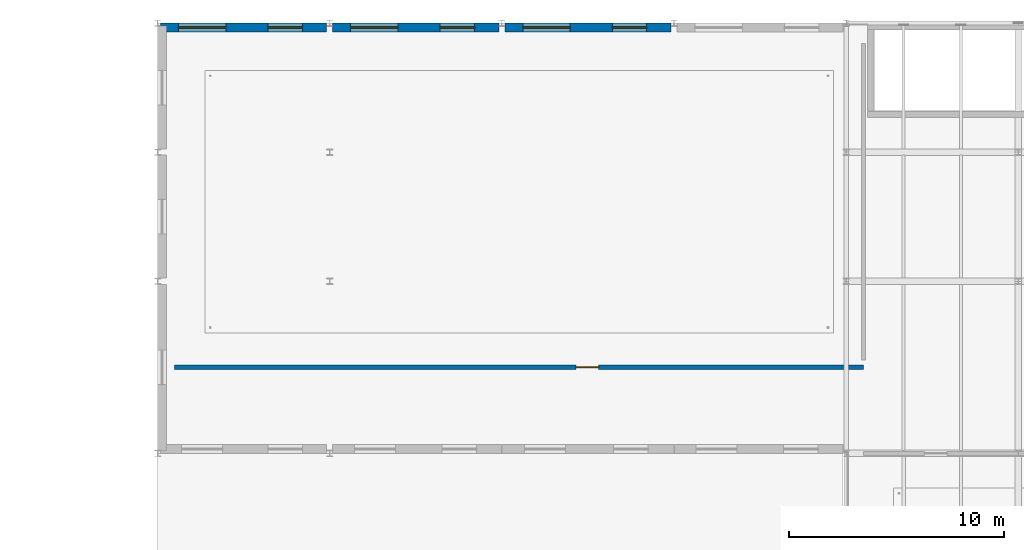
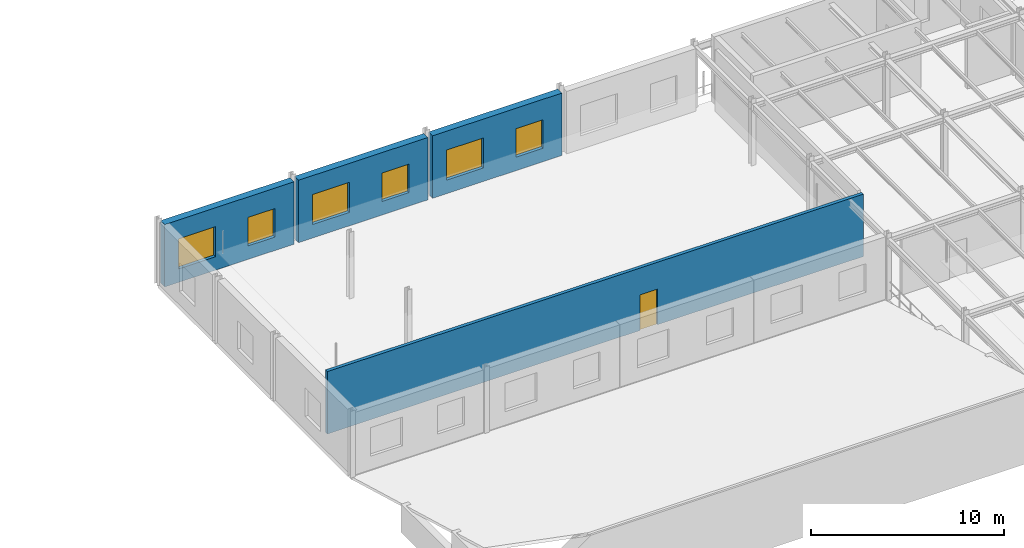
# One storey, part 85 of 124: 6 windows, 4 walls, 1 door, 7 openings.
"""IFC4 building model written with IfcOpenShell, lengths in metres."""

import ifcopenshell
import ifcopenshell.guid

model = None  # the IFC model being written
_history = None  # IfcOwnerHistory: only IFC2X3 demands one
_inside = {}  # id of a spatial element -> (the spatial element, [elements in it])
_under = {}  # id of a project, library or spatial element -> (it, [spatial elements below it])
_declared = {}  # id of a project -> (the project, [libraries it declares])
_typed = {}  # id of a type object -> (the type object, [elements of that type])
_made_of = {}  # id of a material, layer set ... -> (it, [elements and type objects made of it])


def new_model(schema):
    """Start an empty IFC model of exactly this schema.

    Asked for "IFC4X3", IfcOpenShell would pick the latest addendum, in which some entities
    have other attributes; the version numbers below select the first issue.
    IFC2X3 requires an IfcOwnerHistory on every rooted entity: one is made here for all.
    """
    global model, _history
    if schema == "IFC4X3":
        model = ifcopenshell.file(schema_version=(4, 3, 0, 0))
    else:
        model = ifcopenshell.file(schema=schema)
    _inside.clear()
    _under.clear()
    _declared.clear()
    _typed.clear()
    _made_of.clear()
    _history = None
    if model.schema == "IFC2X3":
        org = make("IfcOrganization", Name="unknown")
        user = make(
            "IfcPersonAndOrganization",
            ThePerson=make("IfcPerson", FamilyName="unknown"),
            TheOrganization=org,
        )
        app = make(
            "IfcApplication",
            ApplicationDeveloper=org,
            Version="unknown",
            ApplicationFullName="unknown",
            ApplicationIdentifier="unknown",
        )
        _history = make(
            "IfcOwnerHistory",
            OwningUser=user,
            OwningApplication=app,
            ChangeAction="ADDED",
            CreationDate=0,
        )
    return model


def make(cls, **values):
    """One entity of the class cls with the attributes given. An attribute that is None is left unset."""
    return model.create_entity(
        cls, **{name: value for name, value in values.items() if value is not None}
    )


def rooted(cls, **values):
    """An entity with a GlobalId (a new one), such as an element, a storey or a relation."""
    return make(cls, GlobalId=ifcopenshell.guid.new(), OwnerHistory=_history, **values)


def si_unit(unit_type, name, prefix=None):
    """IfcSIUnit, for example si_unit("LENGTHUNIT", "METRE", prefix="MILLI")."""
    return make("IfcSIUnit", UnitType=unit_type, Prefix=prefix, Name=name)


def assignment(units):
    """IfcUnitAssignment: the units of a project."""
    return None if units is None else make("IfcUnitAssignment", Units=units)


def point(xyz):
    """IfcCartesianPoint."""
    return None if xyz is None else make("IfcCartesianPoint", Coordinates=xyz)


def direction(xyz):
    """IfcDirection."""
    return None if xyz is None else make("IfcDirection", DirectionRatios=xyz)


def frame(location, z_axis=None, x_axis=None):
    """IfcAxis2Placement3D, a coordinate frame: its origin and axes. An axis left out is left unset."""
    return make(
        "IfcAxis2Placement3D",
        Location=point(location),
        Axis=direction(z_axis),
        RefDirection=direction(x_axis),
    )


def frame_2d(location, x_axis=None):
    """IfcAxis2Placement2D, a coordinate frame in the plane: its origin and x axis."""
    return make(
        "IfcAxis2Placement2D", Location=point(location), RefDirection=direction(x_axis)
    )


def origin():
    """The frame at (0, 0, 0) with its axes left unset."""
    return frame((0.0, 0.0, 0.0))


def place(relative_to, where):
    """IfcLocalPlacement: puts the frame where relative to a parent placement (None: the world)."""
    return make(
        "IfcLocalPlacement", PlacementRelTo=relative_to, RelativePlacement=where
    )


def context(
    kind, dimensions, precision=None, world=None, true_north=None, identifier=None
):
    """IfcGeometricRepresentationContext, for example the 3D "Model" context."""
    return make(
        "IfcGeometricRepresentationContext",
        ContextIdentifier=identifier,
        ContextType=kind,
        CoordinateSpaceDimension=dimensions,
        Precision=precision,
        WorldCoordinateSystem=world,
        TrueNorth=true_north,
    )


def subcontext(parent, identifier, kind, view, scale=None):
    """IfcGeometricRepresentationSubContext, for example "Body" below "Model"."""
    return make(
        "IfcGeometricRepresentationSubContext",
        ContextIdentifier=identifier,
        ContextType=kind,
        ParentContext=parent,
        TargetScale=scale,
        TargetView=view,
    )


def project(units=None, contexts=None):
    """IfcProject with its units and contexts."""
    return rooted(
        "IfcProject",
        Name="project",
        RepresentationContexts=contexts,
        UnitsInContext=assignment(units),
    )


def spatial(cls, under=None, at=None, **own):
    """A site, building, storey or space (cls), placed at a placement, below another one or the project."""
    s = rooted(cls, ObjectPlacement=at, **own)
    if under is not None:
        _under.setdefault(under.id(), (under, []))[1].append(s)
    return s


def profile(cls, at=None, kind="AREA", **sizes):
    """A parametric profile (cls). Its sizes go by their IFC names, for example OverallWidth=200.0."""
    return make(cls, ProfileType=kind, Position=at, **sizes)


def rectangle(**sizes):
    """IfcRectangleProfileDef."""
    return profile("IfcRectangleProfileDef", **sizes)


def extrude(swept, where, along, depth):
    """IfcExtrudedAreaSolid: the profile swept, set in the frame where, extruded along a direction by depth."""
    return make(
        "IfcExtrudedAreaSolid",
        SweptArea=swept,
        Position=where,
        ExtrudedDirection=direction(along),
        Depth=depth,
    )


def shape(context_of_items, identifier, shape_type, items):
    """IfcShapeRepresentation: the items that make up one representation, for example the "Body"."""
    return make(
        "IfcShapeRepresentation",
        ContextOfItems=context_of_items,
        RepresentationIdentifier=identifier,
        RepresentationType=shape_type,
        Items=items,
    )


def material(Name=None, Category=None):
    """IfcMaterial."""
    return make("IfcMaterial", Name=Name, Category=Category)


def layer(
    of_material, thickness, ventilated=None, Name=None, Category=None, Priority=None
):
    """IfcMaterialLayer: one layer of a wall or slab, of a material (None: an air gap)."""
    return make(
        "IfcMaterialLayer",
        Material=of_material,
        LayerThickness=thickness,
        IsVentilated=ventilated,
        Name=Name,
        Category=Category,
        Priority=Priority,
    )


def layer_set(layers, Name=None):
    """IfcMaterialLayerSet."""
    return make("IfcMaterialLayerSet", MaterialLayers=layers, LayerSetName=Name)


def made_of(thing, what):
    """Note that an element or type object is made of a material, layer set ...; save() writes the relation."""
    if what is not None:
        _made_of.setdefault(what.id(), (what, []))[1].append(thing)
    return thing


def type_object(cls, material=None, **own):
    """A type object (cls), such as IfcWallType, which elements share."""
    return made_of(rooted(cls, **own), material)


def element(
    cls,
    number,
    at=None,
    inside=None,
    cuts=None,
    type_object=None,
    material=None,
    context=None,
    identifier="Body",
    shape_type=None,
    held_by="IfcProductDefinitionShape",
    body=None,
    shapes=None,
    **own,
):
    """One element of the class cls, such as IfcWall. Its Tag is "e" and its number.

    at: its placement. inside: the storey or other place that contains it. cuts: it is an
    opening in that element (IfcRelVoidsElement). A single representation is given by context,
    identifier, shape_type and body (its items); several are given by shapes. held_by: the class
    of the entity that holds the representations. save() writes the other relations.
    """
    e = rooted(cls, Tag="e%d" % number, ObjectPlacement=at, **own)
    if body is not None:
        shapes = [shape(context, identifier, shape_type, body)]
    if shapes is not None:
        e.Representation = make(held_by, Representations=shapes)
    if inside is not None:
        _inside.setdefault(inside.id(), (inside, []))[1].append(e)
    if cuts is not None:
        rooted(
            "IfcRelVoidsElement", RelatingBuildingElement=cuts, RelatedOpeningElement=e
        )
    if type_object is not None:
        _typed.setdefault(type_object.id(), (type_object, []))[1].append(e)
    return made_of(e, material)


def fill(opening, filler):
    """IfcRelFillsElement: the door or window that sits in an opening."""
    return rooted(
        "IfcRelFillsElement",
        RelatingOpeningElement=opening,
        RelatedBuildingElement=filler,
    )


def aggregate(whole, parts):
    """IfcRelAggregates: a whole, such as a stair, and the parts it consists of."""
    return rooted("IfcRelAggregates", RelatingObject=whole, RelatedObjects=parts)


def save(model, path):
    """Write the relations noted so far, then the file.

    IfcRelAggregates (storeys below a building ...), IfcRelContainedInSpatialStructure (elements
    in a storey), IfcRelDefinesByType, IfcRelAssociatesMaterial and IfcRelDeclares: one each for
    every whole, place, type object, material and project.
    """
    for whole, parts in _under.values():
        aggregate(whole, parts)
    for where, things in _inside.values():
        rooted(
            "IfcRelContainedInSpatialStructure",
            RelatedElements=things,
            RelatingStructure=where,
        )
    for kind, things in _typed.values():
        rooted("IfcRelDefinesByType", RelatedObjects=things, RelatingType=kind)
    for what, things in _made_of.values():
        rooted("IfcRelAssociatesMaterial", RelatedObjects=things, RelatingMaterial=what)
    for by, libraries in _declared.values():
        rooted("IfcRelDeclares", RelatingContext=by, RelatedDefinitions=libraries)
    model.write(path)


model = new_model("IFC4")

# Units and contexts
model_context = context("Model", 3, precision=1e-05, world=origin(), true_north=direction((0.0, 1.0)))
body_context = subcontext(model_context, "Body", "Model", "MODEL_VIEW")
ifc_project = project(units=[si_unit("LENGTHUNIT", "METRE"), si_unit("AREAUNIT", "SQUARE_METRE"), si_unit("VOLUMEUNIT", "CUBIC_METRE"), si_unit("PLANEANGLEUNIT", "RADIAN"), si_unit("MASSUNIT", "GRAM", prefix="KILO")], contexts=[model_context])

# Site, building, storey
site_placement = place(None, origin())
site = spatial("IfcSite", under=ifc_project, at=site_placement, CompositionType="ELEMENT")
building_placement = place(site_placement, origin())
building = spatial("IfcBuilding", under=site, at=building_placement, Name="Sundkrona Museum", CompositionType="ELEMENT")
storey_placement = place(building_placement, frame((0.0, 0.0, 17.60009765625)))
storey = spatial("IfcBuildingStorey", under=building, at=storey_placement, Name="L03", CompositionType="ELEMENT", Elevation=17.60009765625)

# Wall, openings, windows
ifc_material_1 = material(Name="Scanian Polychrome Clay Brickwork 420 mm", Category="masonry")
ifc_layer_1 = layer(ifc_material_1, 0.419921875)
ifc_layer_set_1 = layer_set([ifc_layer_1], Name="Scanian Polychrome Clay Brickwork 420 mm")
wall_type_1 = type_object("IfcWallType", Name="W-EX-420", PredefinedType="SOLIDWALL", material=ifc_layer_set_1)
wall_1_placement = place(storey_placement, frame((104.14208984375, 113.7900390625, 0.0), z_axis=(0.0, 0.0, 1.0), x_axis=(1.0, 0.0, 0.0)))
wall_1 = element("IfcWall", 1, at=wall_1_placement, inside=storey, type_object=wall_type_1, Name="L03 Facade Wall 0369", PredefinedType="SOLIDWALL", context=body_context, shape_type="SweptSolid", body=[
    extrude(rectangle(XDim=7.7158203125, YDim=0.419921875, at=frame_2d((3.85791015625, 0.0))), origin(), (0.0, 0.0, 1.0), 3.93994140625),
])
opening_1_placement = place(wall_1_placement, frame((0.8291015625, 0.0, 0.85009765625)))
opening_1 = element("IfcOpeningElement", 2, at=opening_1_placement, cuts=wall_1, Name="Opening WN-LB-220x190", PredefinedType="OPENING", context=body_context, shape_type="SweptSolid", body=[
    extrude(rectangle(XDim=2.199951171875, YDim=1.89990234375, at=frame_2d((1.10009765625, 0.949951171875))), frame((0.0, 0.219970703125, 0.0), z_axis=(0.0, -1.0, 0.0), x_axis=(1.0, 0.0, 0.0)), (0.0, 0.0, 1.0), 0.43994140625),
])
opening_2_placement = place(wall_1_placement, frame((4.987060546875, 0.0, 0.85009765625)))
opening_2 = element("IfcOpeningElement", 3, at=opening_2_placement, cuts=wall_1, Name="Opening WN-LB-160x180", PredefinedType="OPENING", context=body_context, shape_type="SweptSolid", body=[
    extrude(rectangle(XDim=1.60009765625, YDim=1.800048828125, at=frame_2d((0.800048828125, 0.89990234375))), frame((0.0, 0.219970703125, 0.0), z_axis=(0.0, -1.0, 0.0), x_axis=(1.0, 0.0, 0.0)), (0.0, 0.0, 1.0), 0.43994140625),
])
ifc_material_2 = material(Name="Triple Low-E Argon Glazing in Bronze-Anodised Aluminium", Category="aluminium")
window_type_1 = type_object("IfcWindowType", Name="WN-LB-160x180", PartitioningType="DOUBLE_PANEL_VERTICAL", PredefinedType="WINDOW", material=ifc_material_2)
window_1_placement = place(opening_2_placement, origin())
window_1 = element("IfcWindow", 4, at=window_1_placement, inside=storey, type_object=window_type_1, Name="L03 Conservation laboratory deep-reveal window 1600x1800 WIN-L03-0480", OverallHeight=1.800048828125, OverallWidth=1.60009765625, PartitioningType="DOUBLE_PANEL_VERTICAL", PredefinedType="WINDOW", context=body_context, shape_type="SweptSolid", body=[
    extrude(rectangle(XDim=1.60009765625, YDim=1.800048828125, at=frame_2d((0.800048828125, 0.89990234375))), frame((0.0, 0.030029296875, 0.0), z_axis=(0.0, -1.0, 0.0), x_axis=(1.0, 0.0, 0.0)), (0.0, 0.0, 1.0), 0.06005859375),
])
fill(opening_2, window_1)
window_type_2 = type_object("IfcWindowType", Name="WN-LB-220x190", PartitioningType="TRIPLE_PANEL_VERTICAL", PredefinedType="WINDOW", material=ifc_material_2)
window_2_placement = place(opening_1_placement, origin())
window_2 = element("IfcWindow", 5, at=window_2_placement, inside=storey, type_object=window_type_2, Name="L03 Restoration studio north-light window 2200x1900 WIN-L03-0479", OverallHeight=1.89990234375, OverallWidth=2.199951171875, PartitioningType="TRIPLE_PANEL_VERTICAL", PredefinedType="WINDOW", context=body_context, shape_type="SweptSolid", body=[
    extrude(rectangle(XDim=2.199951171875, YDim=1.89990234375, at=frame_2d((1.10009765625, 0.949951171875))), frame((0.0, 0.030029296875, 0.0), z_axis=(0.0, -1.0, 0.0), x_axis=(1.0, 0.0, 0.0)), (0.0, 0.0, 1.0), 0.06005859375),
])
fill(opening_1, window_2)

wall_2_placement = place(storey_placement, frame((112.14208984375, 113.7900390625, 0.0), z_axis=(0.0, 0.0, 1.0), x_axis=(1.0, 0.0, 0.0)))
wall_2 = element("IfcWall", 6, at=wall_2_placement, inside=storey, type_object=wall_type_1, Name="L03 Facade Wall 0370", PredefinedType="SOLIDWALL", context=body_context, shape_type="SweptSolid", body=[
    extrude(rectangle(XDim=7.7158203125, YDim=0.419921875, at=frame_2d((3.85791015625, 0.0))), origin(), (0.0, 0.0, 1.0), 3.93994140625),
])
opening_3_placement = place(wall_2_placement, frame((0.8291015625, 0.0, 0.85009765625)))
opening_3 = element("IfcOpeningElement", 7, at=opening_3_placement, cuts=wall_2, Name="Opening WN-LB-220x190", PredefinedType="OPENING", context=body_context, shape_type="SweptSolid", body=[
    extrude(rectangle(XDim=2.199951171875, YDim=1.89990234375, at=frame_2d((1.10009765625, 0.949951171875))), frame((0.0, 0.219970703125, 0.0), z_axis=(0.0, -1.0, 0.0), x_axis=(1.0, 0.0, 0.0)), (0.0, 0.0, 1.0), 0.43994140625),
])
opening_4_placement = place(wall_2_placement, frame((4.987060546875, 0.0, 0.85009765625)))
opening_4 = element("IfcOpeningElement", 8, at=opening_4_placement, cuts=wall_2, Name="Opening WN-LB-160x180", PredefinedType="OPENING", context=body_context, shape_type="SweptSolid", body=[
    extrude(rectangle(XDim=1.60009765625, YDim=1.800048828125, at=frame_2d((0.800048828125, 0.89990234375))), frame((0.0, 0.219970703125, 0.0), z_axis=(0.0, -1.0, 0.0), x_axis=(1.0, 0.0, 0.0)), (0.0, 0.0, 1.0), 0.43994140625),
])
window_3_placement = place(opening_4_placement, origin())
window_3 = element("IfcWindow", 9, at=window_3_placement, inside=storey, type_object=window_type_1, Name="L03 Conservation laboratory deep-reveal window 1600x1800 WIN-L03-0482", OverallHeight=1.800048828125, OverallWidth=1.60009765625, PartitioningType="DOUBLE_PANEL_VERTICAL", PredefinedType="WINDOW", context=body_context, shape_type="SweptSolid", body=[
    extrude(rectangle(XDim=1.60009765625, YDim=1.800048828125, at=frame_2d((0.800048828125, 0.89990234375))), frame((0.0, 0.030029296875, 0.0), z_axis=(0.0, -1.0, 0.0), x_axis=(1.0, 0.0, 0.0)), (0.0, 0.0, 1.0), 0.06005859375),
])
fill(opening_4, window_3)
window_4_placement = place(opening_3_placement, origin())
window_4 = element("IfcWindow", 10, at=window_4_placement, inside=storey, type_object=window_type_2, Name="L03 Restoration studio north-light window 2200x1900 WIN-L03-0481", OverallHeight=1.89990234375, OverallWidth=2.199951171875, PartitioningType="TRIPLE_PANEL_VERTICAL", PredefinedType="WINDOW", context=body_context, shape_type="SweptSolid", body=[
    extrude(rectangle(XDim=2.199951171875, YDim=1.89990234375, at=frame_2d((1.10009765625, 0.949951171875))), frame((0.0, 0.030029296875, 0.0), z_axis=(0.0, -1.0, 0.0), x_axis=(1.0, 0.0, 0.0)), (0.0, 0.0, 1.0), 0.06005859375),
])
fill(opening_3, window_4)

wall_3_placement = place(storey_placement, frame((120.14208984375, 113.7900390625, 0.0), z_axis=(0.0, 0.0, 1.0), x_axis=(1.0, 0.0, 0.0)))
wall_3 = element("IfcWall", 11, at=wall_3_placement, inside=storey, type_object=wall_type_1, Name="L03 Facade Wall 0371", PredefinedType="SOLIDWALL", context=body_context, shape_type="SweptSolid", body=[
    extrude(rectangle(XDim=7.7158203125, YDim=0.419921875, at=frame_2d((3.85791015625, 0.0))), origin(), (0.0, 0.0, 1.0), 3.93994140625),
])
opening_5_placement = place(wall_3_placement, frame((0.8291015625, 0.0, 0.85009765625)))
opening_5 = element("IfcOpeningElement", 12, at=opening_5_placement, cuts=wall_3, Name="Opening WN-LB-220x190", PredefinedType="OPENING", context=body_context, shape_type="SweptSolid", body=[
    extrude(rectangle(XDim=2.199951171875, YDim=1.89990234375, at=frame_2d((1.10009765625, 0.949951171875))), frame((0.0, 0.219970703125, 0.0), z_axis=(0.0, -1.0, 0.0), x_axis=(1.0, 0.0, 0.0)), (0.0, 0.0, 1.0), 0.43994140625),
])
opening_6_placement = place(wall_3_placement, frame((4.987060546875, 0.0, 0.85009765625)))
opening_6 = element("IfcOpeningElement", 13, at=opening_6_placement, cuts=wall_3, Name="Opening WN-LB-160x180", PredefinedType="OPENING", context=body_context, shape_type="SweptSolid", body=[
    extrude(rectangle(XDim=1.60009765625, YDim=1.800048828125, at=frame_2d((0.800048828125, 0.89990234375))), frame((0.0, 0.219970703125, 0.0), z_axis=(0.0, -1.0, 0.0), x_axis=(1.0, 0.0, 0.0)), (0.0, 0.0, 1.0), 0.43994140625),
])
window_5_placement = place(opening_6_placement, origin())
window_5 = element("IfcWindow", 14, at=window_5_placement, inside=storey, type_object=window_type_1, Name="L03 Conservation laboratory deep-reveal window 1600x1800 WIN-L03-0484", OverallHeight=1.800048828125, OverallWidth=1.60009765625, PartitioningType="DOUBLE_PANEL_VERTICAL", PredefinedType="WINDOW", context=body_context, shape_type="SweptSolid", body=[
    extrude(rectangle(XDim=1.60009765625, YDim=1.800048828125, at=frame_2d((0.800048828125, 0.89990234375))), frame((0.0, 0.030029296875, 0.0), z_axis=(0.0, -1.0, 0.0), x_axis=(1.0, 0.0, 0.0)), (0.0, 0.0, 1.0), 0.06005859375),
])
fill(opening_6, window_5)
window_6_placement = place(opening_5_placement, origin())
window_6 = element("IfcWindow", 15, at=window_6_placement, inside=storey, type_object=window_type_2, Name="L03 Restoration studio north-light window 2200x1900 WIN-L03-0483", OverallHeight=1.89990234375, OverallWidth=2.199951171875, PartitioningType="TRIPLE_PANEL_VERTICAL", PredefinedType="WINDOW", context=body_context, shape_type="SweptSolid", body=[
    extrude(rectangle(XDim=2.199951171875, YDim=1.89990234375, at=frame_2d((1.10009765625, 0.949951171875))), frame((0.0, 0.030029296875, 0.0), z_axis=(0.0, -1.0, 0.0), x_axis=(1.0, 0.0, 0.0)), (0.0, 0.0, 1.0), 0.06005859375),
])
fill(opening_5, window_6)

# Wall, opening, door
ifc_material_3 = material(Name="Moisture-resistant Tile Partition 200 mm", Category="other")
ifc_layer_2 = layer(ifc_material_3, 0.199951171875)
ifc_layer_set_2 = layer_set([ifc_layer_2], Name="Moisture-resistant Tile Partition 200 mm")
wall_type_2 = type_object("IfcWallType", Name="W-PT-200", PredefinedType="PARTITIONING", material=ifc_layer_set_2)
wall_4_placement = place(storey_placement, frame((104.800048828125, 98.0, 0.0), z_axis=(0.0, 0.0, 1.0), x_axis=(1.0, 0.0, 0.0)))
wall_4 = element("IfcWall", 16, at=wall_4_placement, inside=storey, type_object=wall_type_2, Name="L03 Partition Volume 5 Laboratory Corridor / Molecular Conservation Laboratory", PredefinedType="PARTITIONING", context=body_context, shape_type="SweptSolid", body=[
    extrude(rectangle(XDim=32.0, YDim=0.199951171875, at=frame_2d((16.0, 0.0))), origin(), (0.0, 0.0, 1.0), 3.93994140625),
])
opening_7_placement = place(wall_4_placement, frame((18.651123046875, 0.0, 0.0)))
opening_7 = element("IfcOpeningElement", 17, at=opening_7_placement, cuts=wall_4, Name="Opening D-LAB-105", PredefinedType="OPENING", context=body_context, shape_type="SweptSolid", body=[
    extrude(rectangle(XDim=1.050048828125, YDim=2.25, at=frame_2d((0.52490234375, 1.125))), frame((0.0, 0.10986328125, 0.0), z_axis=(0.0, -1.0, 0.0), x_axis=(1.0, 0.0, 0.0)), (0.0, 0.0, 1.0), 0.219970703125),
])
ifc_material_4 = material(Name="Laminated Timber Lab Door", Category="wood")
door_type = type_object("IfcDoorType", Name="D-LAB-105", OperationType="NOTDEFINED", PredefinedType="DOOR", material=ifc_material_4)
door_placement = place(opening_7_placement, origin())
door = element("IfcDoor", 18, at=door_placement, inside=storey, type_object=door_type, Name="L03 Interior Door DR-ADJ-L03-0174", OperationType="SINGLE_SWING_RIGHT", OverallHeight=2.25, OverallWidth=1.050048828125, PredefinedType="DOOR", context=body_context, shape_type="SweptSolid", body=[
    extrude(rectangle(XDim=1.050048828125, YDim=2.25, at=frame_2d((0.52490234375, 1.125))), frame((0.0, 0.02490234375, 0.0), z_axis=(0.0, -1.0, 0.0), x_axis=(1.0, 0.0, 0.0)), (0.0, 0.0, 1.0), 0.050048828125),
])
fill(opening_7, door)

save(model, "model.ifc")
